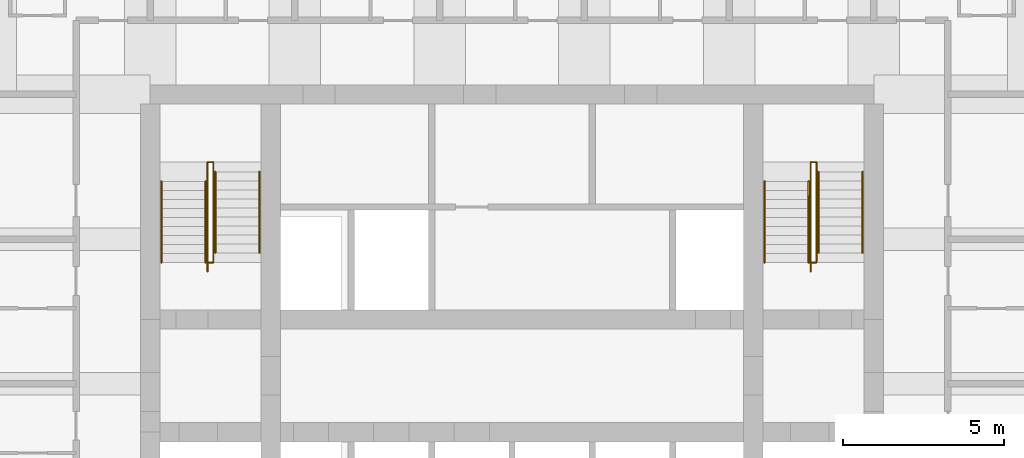
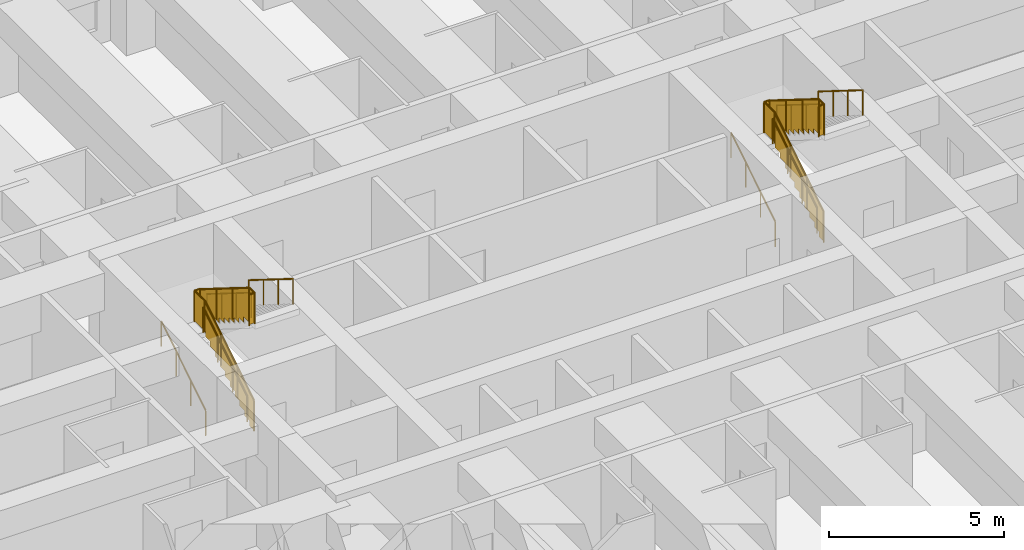
# One storey, part 8 of 8: 12 railings.
"""IFC4 building model written with IfcOpenShell, lengths in metres."""

from ifc_helpers import new_model, si_unit, direction, frame, origin, origin_2d, place, context, subcontext, project, spatial, polyline, circle, outline, extrude, material, type_object, element, save


model = new_model("IFC4")

# Units and contexts
model_context = context("Model", 3, precision=1e-05, world=origin(), true_north=direction((0.0, 1.0)))
body_context = subcontext(model_context, "Body", "Model", "MODEL_VIEW")
ifc_project = project(units=[si_unit("LENGTHUNIT", "METRE"), si_unit("AREAUNIT", "SQUARE_METRE"), si_unit("VOLUMEUNIT", "CUBIC_METRE"), si_unit("PLANEANGLEUNIT", "RADIAN"), si_unit("MASSUNIT", "GRAM", prefix="KILO")], contexts=[model_context])

# Site, building, storey
site_placement = place(None, origin())
site = spatial("IfcSite", under=ifc_project, at=site_placement, CompositionType="ELEMENT")
building_placement = place(site_placement, origin())
building = spatial("IfcBuilding", under=site, at=building_placement, Name="Kilele Tower Hotel", CompositionType="ELEMENT")
storey_placement = place(building_placement, frame((0.0, 0.0, 33.199951171875)))
storey = spatial("IfcBuildingStorey", under=building, at=storey_placement, Name="L06", CompositionType="ELEMENT", Elevation=33.199951171875)

# Railings
ifc_material_1 = material(Name="Steel handrail", Category="steel")
railing_type_1 = type_object("IfcRailingType", Name="Handrail 900", PredefinedType="HANDRAIL", material=ifc_material_1)
for number, where, name in (
    (1, (13.85009765625, 21.77490234375, 0.175048828125), "Handrail ST1 flight 1"),
    (2, (15.22509765625, 21.77490234375, 0.175048828125), "Handrail ST1 flight 1"),
):
    element("IfcRailing", number, at=place(storey_placement, frame(where)), inside=storey, type_object=railing_type_1, Name=name, PredefinedType="HANDRAIL", context=body_context, shape_type="SweptSolid", body=[
        extrude(circle(Radius=0.02490234375, at=origin_2d()), frame((0.0, 0.0, 0.875), z_axis=(0.0, 0.848007534815, 0.529984170421), x_axis=(-1.0, 0.0, 0.0)), (0.0, 0.0, 1.0), 2.9716796875),
        extrude(circle(Radius=0.02001953125, at=origin_2d()), origin(), (0.0, 0.0, 1.0), 0.849853515625),
        extrude(circle(Radius=0.02001953125, at=origin_2d()), frame((0.0, 0.840087890625, 0.52490234375)), (0.0, 0.0, 1.0), 0.849853515625),
        extrude(circle(Radius=0.02001953125, at=origin_2d()), frame((0.0, 1.679931640625, 1.050048828125)), (0.0, 0.0, 1.0), 0.849853515625),
        extrude(circle(Radius=0.02001953125, at=origin_2d()), frame((0.0, 2.52001953125, 1.574951171875)), (0.0, 0.0, 1.0), 0.849853515625),
    ])
for number, where, name in (
    (3, (15.52490234375, 24.594970703125, 1.925048828125), "Handrail ST1 flight 2"),
    (4, (16.89990234375, 24.594970703125, 1.925048828125), "Handrail ST1 flight 2"),
):
    element("IfcRailing", number, at=place(storey_placement, frame(where)), inside=storey, type_object=railing_type_1, Name=name, PredefinedType="HANDRAIL", context=body_context, shape_type="SweptSolid", body=[
        extrude(circle(Radius=0.02490234375, at=origin_2d()), frame((0.0, 0.0, 0.875), z_axis=(0.0, -0.848007534815, 0.529984170421), x_axis=(1.0, 0.0, 0.0)), (0.0, 0.0, 1.0), 2.9716796875),
        extrude(circle(Radius=0.02001953125, at=origin_2d()), origin(), (0.0, 0.0, 1.0), 0.849853515625),
        extrude(circle(Radius=0.02001953125, at=origin_2d()), frame((0.0, -0.840087890625, 0.52490234375)), (0.0, 0.0, 1.0), 0.849853515625),
        extrude(circle(Radius=0.02001953125, at=origin_2d()), frame((0.0, -1.679931640625, 1.050048828125)), (0.0, 0.0, 1.0), 0.849853515625),
        extrude(circle(Radius=0.02001953125, at=origin_2d()), frame((0.0, -2.52001953125, 1.574951171875)), (0.0, 0.0, 1.0), 0.849853515625),
    ])
for number, where, name in (
    (5, (32.60009765625, 21.77490234375, 0.175048828125), "Handrail ST2 flight 1"),
    (6, (33.97509765625, 21.77490234375, 0.175048828125), "Handrail ST2 flight 1"),
):
    element("IfcRailing", number, at=place(storey_placement, frame(where)), inside=storey, type_object=railing_type_1, Name=name, PredefinedType="HANDRAIL", context=body_context, shape_type="SweptSolid", body=[
        extrude(circle(Radius=0.02490234375, at=origin_2d()), frame((0.0, 0.0, 0.875), z_axis=(0.0, 0.848007534815, 0.529984170421), x_axis=(-1.0, 0.0, 0.0)), (0.0, 0.0, 1.0), 2.9716796875),
        extrude(circle(Radius=0.02001953125, at=origin_2d()), origin(), (0.0, 0.0, 1.0), 0.849853515625),
        extrude(circle(Radius=0.02001953125, at=origin_2d()), frame((0.0, 0.840087890625, 0.52490234375)), (0.0, 0.0, 1.0), 0.849853515625),
        extrude(circle(Radius=0.02001953125, at=origin_2d()), frame((0.0, 1.679931640625, 1.050048828125)), (0.0, 0.0, 1.0), 0.849853515625),
        extrude(circle(Radius=0.02001953125, at=origin_2d()), frame((0.0, 2.52001953125, 1.574951171875)), (0.0, 0.0, 1.0), 0.849853515625),
    ])
for number, where, name in (
    (7, (34.27490234375, 24.594970703125, 1.925048828125), "Handrail ST2 flight 2"),
    (8, (35.64990234375, 24.594970703125, 1.925048828125), "Handrail ST2 flight 2"),
):
    element("IfcRailing", number, at=place(storey_placement, frame(where)), inside=storey, type_object=railing_type_1, Name=name, PredefinedType="HANDRAIL", context=body_context, shape_type="SweptSolid", body=[
        extrude(circle(Radius=0.02490234375, at=origin_2d()), frame((0.0, 0.0, 0.875), z_axis=(0.0, -0.848007534815, 0.529984170421), x_axis=(1.0, 0.0, 0.0)), (0.0, 0.0, 1.0), 2.9716796875),
        extrude(circle(Radius=0.02001953125, at=origin_2d()), origin(), (0.0, 0.0, 1.0), 0.849853515625),
        extrude(circle(Radius=0.02001953125, at=origin_2d()), frame((0.0, -0.840087890625, 0.52490234375)), (0.0, 0.0, 1.0), 0.849853515625),
        extrude(circle(Radius=0.02001953125, at=origin_2d()), frame((0.0, -1.679931640625, 1.050048828125)), (0.0, 0.0, 1.0), 0.849853515625),
        extrude(circle(Radius=0.02001953125, at=origin_2d()), frame((0.0, -2.52001953125, 1.574951171875)), (0.0, 0.0, 1.0), 0.849853515625),
    ])
ifc_material_2 = material(Name="Steel guard", Category="steel")
railing_type_2 = type_object("IfcRailingType", Name="Stair guard 1100", PredefinedType="GUARDRAIL", material=ifc_material_2)
railing_1_placement = place(storey_placement, frame((15.284912109375, 21.4951171875, 0.0)))
element("IfcRailing", 9, at=railing_1_placement, inside=storey, type_object=railing_type_2, Name="Stair well guard ST1 flight 1", PredefinedType="GUARDRAIL", context=body_context, shape_type="SweptSolid", body=[
    extrude(circle(Radius=0.02490234375, at=origin_2d()), frame((0.0, 0.0, 1.0751953125), z_axis=(0.0, 0.847981687118, 0.530025526095), x_axis=(-1.0, 0.0, 0.0)), (0.0, 0.0, 1.0), 3.3017578125),
    extrude(circle(Radius=0.02490234375, at=origin_2d()), frame((0.0, 2.7998046875, 2.8251953125), z_axis=(0.0, 1.0, 0.0), x_axis=(-1.0, 0.0, 0.0)), (0.0, 0.0, 1.0), 0.60009765625),
    extrude(circle(Radius=0.02490234375, at=origin_2d()), frame((0.0, 3.39990234375, 2.8251953125), z_axis=(1.0, 0.0, 0.0), x_axis=(0.0, 1.0, 0.0)), (0.0, 0.0, 1.0), 0.18017578125),
    extrude(circle(Radius=0.02490234375, at=origin_2d()), origin(), (0.0, 0.0, 1.0), 1.050048828125),
    extrude(circle(Radius=0.02490234375, at=origin_2d()), frame((0.0, 0.933349609375, 0.583251953125)), (0.0, 0.0, 1.0), 1.050048828125),
    extrude(circle(Radius=0.02490234375, at=origin_2d()), frame((0.0, 1.866455078125, 1.166748046875)), (0.0, 0.0, 1.0), 1.050048828125),
    extrude(circle(Radius=0.02490234375, at=origin_2d()), frame((0.0, 2.7998046875, 1.75)), (0.0, 0.0, 1.0), 1.050048828125),
    extrude(circle(Radius=0.02490234375, at=origin_2d()), frame((0.0, 3.39990234375, 1.75)), (0.0, 0.0, 1.0), 1.050048828125),
    extrude(circle(Radius=0.02490234375, at=origin_2d()), frame((0.18017578125, 3.39990234375, 1.75)), (0.0, 0.0, 1.0), 1.050048828125),
    extrude(outline(polyline([(0.012451171875, 0.030029296875), (0.25, 0.030029296875), (0.25, 0.205078125), (0.530029296875, 0.205078125), (0.530029296875, 0.380126953125), (0.809814453125, 0.380126953125), (0.809814453125, 0.554931640625), (1.08984375, 0.554931640625), (1.08984375, 0.72998046875), (1.369873046875, 0.72998046875), (1.369873046875, 0.905029296875), (1.64990234375, 0.905029296875), (1.64990234375, 1.080078125), (1.929931640625, 1.080078125), (1.929931640625, 1.255126953125), (2.209716796875, 1.255126953125), (2.209716796875, 1.429931640625), (2.48974609375, 1.429931640625), (2.48974609375, 1.60498046875), (2.769775390625, 1.60498046875), (2.769775390625, 1.780029296875), (2.787353515625, 1.780029296875), (2.787353515625, 2.787841796875), (0.012451171875, 1.053466796875), (0.012451171875, 0.030029296875)])), frame((-0.005859375, 0.0, 0.0), z_axis=(1.0, 0.0, 0.0), x_axis=(0.0, 1.0, 0.0)), (0.0, 0.0, 1.0), 0.011962890625),
    extrude(outline(polyline([(0.012451171875, 0.030029296875), (0.587646484375, 0.030029296875), (0.587646484375, 1.050048828125), (0.012451171875, 1.050048828125), (0.012451171875, 0.030029296875)])), frame((-0.005859375, 2.7998046875, 1.75), z_axis=(1.0, 0.0, 0.0), x_axis=(0.0, 1.0, 0.0)), (0.0, 0.0, 1.0), 0.011962890625),
    extrude(outline(polyline([(0.012451171875, 0.030029296875), (0.18017578125, 0.030029296875), (0.18017578125, 1.050048828125), (0.012451171875, 1.050048828125), (0.012451171875, 0.030029296875)])), frame((0.0, 3.40576171875, 1.75), z_axis=(0.0, -1.0, 0.0), x_axis=(1.0, 0.0, 0.0)), (0.0, 0.0, 1.0), 0.011962890625),
])
railing_2_placement = place(storey_placement, frame((15.465087890625, 24.89501953125, 1.75)))
element("IfcRailing", 10, at=railing_2_placement, inside=storey, type_object=railing_type_2, Name="Stair well guard ST1 flight 2", PredefinedType="GUARDRAIL", context=body_context, shape_type="SweptSolid", body=[
    extrude(circle(Radius=0.02490234375, at=origin_2d()), frame((0.0, 0.0, 1.0751953125), z_axis=(0.0, -1.0, 0.0), x_axis=(1.0, 0.0, 0.0)), (0.0, 0.0, 1.0), 0.02001953125),
    extrude(circle(Radius=0.02490234375, at=origin_2d()), frame((0.0, -0.02001953125, 1.0751953125), z_axis=(0.0, -0.848002457836, 0.529992293815), x_axis=(1.0, 0.0, 0.0)), (0.0, 0.0, 1.0), 3.302001953125),
    extrude(circle(Radius=0.02490234375, at=origin_2d()), frame((0.0, -2.820068359375, 2.8251953125), z_axis=(0.0, -1.0, 0.0), x_axis=(1.0, 0.0, 0.0)), (0.0, 0.0, 1.0), 0.300048828125),
    extrude(circle(Radius=0.02490234375, at=origin_2d()), frame((0.0, -3.1201171875, 2.8251953125), z_axis=(-1.0, 0.0, 0.0), x_axis=(0.0, -1.0, 0.0)), (0.0, 0.0, 1.0), 0.18017578125),
    extrude(circle(Radius=0.02490234375, at=origin_2d()), origin(), (0.0, 0.0, 1.0), 1.050048828125),
    extrude(circle(Radius=0.02490234375, at=origin_2d()), frame((0.0, -0.02001953125, 0.0)), (0.0, 0.0, 1.0), 1.050048828125),
    extrude(circle(Radius=0.02490234375, at=origin_2d()), frame((0.0, -0.953369140625, 0.583251953125)), (0.0, 0.0, 1.0), 1.050048828125),
    extrude(circle(Radius=0.02490234375, at=origin_2d()), frame((0.0, -1.88671875, 1.166748046875)), (0.0, 0.0, 1.0), 1.050048828125),
    extrude(circle(Radius=0.02490234375, at=origin_2d()), frame((0.0, -2.820068359375, 1.75)), (0.0, 0.0, 1.0), 1.050048828125),
    extrude(circle(Radius=0.02490234375, at=origin_2d()), frame((0.0, -3.1201171875, 1.75)), (0.0, 0.0, 1.0), 1.050048828125),
    extrude(circle(Radius=0.02490234375, at=origin_2d()), frame((-0.18017578125, -3.1201171875, 1.75)), (0.0, 0.0, 1.0), 1.050048828125),
    extrude(outline(polyline([(0.012451171875, 0.030029296875), (0.25, 0.030029296875), (0.25, 0.205078125), (0.530029296875, 0.205078125), (0.530029296875, 0.380126953125), (0.81005859375, 0.380126953125), (0.81005859375, 0.554931640625), (1.090087890625, 0.554931640625), (1.090087890625, 0.72998046875), (1.3701171875, 0.72998046875), (1.3701171875, 0.905029296875), (1.64990234375, 0.905029296875), (1.64990234375, 1.080078125), (1.929931640625, 1.080078125), (1.929931640625, 1.255126953125), (2.2099609375, 1.255126953125), (2.2099609375, 1.429931640625), (2.489990234375, 1.429931640625), (2.489990234375, 1.60498046875), (2.77001953125, 1.60498046875), (2.77001953125, 1.780029296875), (2.78759765625, 1.780029296875), (2.78759765625, 2.787841796875), (0.012451171875, 1.053466796875), (0.012451171875, 0.030029296875)])), frame((0.005859375, -0.02001953125, 0.0), z_axis=(-1.0, 0.0, 0.0), x_axis=(0.0, -1.0, 0.0)), (0.0, 0.0, 1.0), 0.011962890625),
    extrude(outline(polyline([(0.012451171875, 0.030029296875), (0.28759765625, 0.030029296875), (0.28759765625, 1.050048828125), (0.012451171875, 1.050048828125), (0.012451171875, 0.030029296875)])), frame((0.005859375, -2.820068359375, 1.75), z_axis=(-1.0, 0.0, 0.0), x_axis=(0.0, -1.0, 0.0)), (0.0, 0.0, 1.0), 0.011962890625),
    extrude(outline(polyline([(0.012451171875, 0.030029296875), (0.18017578125, 0.030029296875), (0.18017578125, 1.050048828125), (0.012451171875, 1.050048828125), (0.012451171875, 0.030029296875)])), frame((0.0, -3.1259765625, 1.75), z_axis=(0.0, 1.0, 0.0), x_axis=(-1.0, 0.0, 0.0)), (0.0, 0.0, 1.0), 0.011962890625),
])
railing_3_placement = place(storey_placement, frame((34.034912109375, 21.4951171875, 0.0)))
element("IfcRailing", 11, at=railing_3_placement, inside=storey, type_object=railing_type_2, Name="Stair well guard ST2 flight 1", PredefinedType="GUARDRAIL", context=body_context, shape_type="SweptSolid", body=[
    extrude(circle(Radius=0.02490234375, at=origin_2d()), frame((0.0, 0.0, 1.0751953125), z_axis=(0.0, 0.847981687118, 0.530025526095), x_axis=(-1.0, 0.0, 0.0)), (0.0, 0.0, 1.0), 3.3017578125),
    extrude(circle(Radius=0.02490234375, at=origin_2d()), frame((0.0, 2.7998046875, 2.8251953125), z_axis=(0.0, 1.0, 0.0), x_axis=(-1.0, 0.0, 0.0)), (0.0, 0.0, 1.0), 0.60009765625),
    extrude(circle(Radius=0.02490234375, at=origin_2d()), frame((0.0, 3.39990234375, 2.8251953125), z_axis=(1.0, 0.0, 0.0), x_axis=(0.0, 1.0, 0.0)), (0.0, 0.0, 1.0), 0.18017578125),
    extrude(circle(Radius=0.02490234375, at=origin_2d()), origin(), (0.0, 0.0, 1.0), 1.050048828125),
    extrude(circle(Radius=0.02490234375, at=origin_2d()), frame((0.0, 0.933349609375, 0.583251953125)), (0.0, 0.0, 1.0), 1.050048828125),
    extrude(circle(Radius=0.02490234375, at=origin_2d()), frame((0.0, 1.866455078125, 1.166748046875)), (0.0, 0.0, 1.0), 1.050048828125),
    extrude(circle(Radius=0.02490234375, at=origin_2d()), frame((0.0, 2.7998046875, 1.75)), (0.0, 0.0, 1.0), 1.050048828125),
    extrude(circle(Radius=0.02490234375, at=origin_2d()), frame((0.0, 3.39990234375, 1.75)), (0.0, 0.0, 1.0), 1.050048828125),
    extrude(circle(Radius=0.02490234375, at=origin_2d()), frame((0.18017578125, 3.39990234375, 1.75)), (0.0, 0.0, 1.0), 1.050048828125),
    extrude(outline(polyline([(0.012451171875, 0.030029296875), (0.25, 0.030029296875), (0.25, 0.205078125), (0.530029296875, 0.205078125), (0.530029296875, 0.380126953125), (0.809814453125, 0.380126953125), (0.809814453125, 0.554931640625), (1.08984375, 0.554931640625), (1.08984375, 0.72998046875), (1.369873046875, 0.72998046875), (1.369873046875, 0.905029296875), (1.64990234375, 0.905029296875), (1.64990234375, 1.080078125), (1.929931640625, 1.080078125), (1.929931640625, 1.255126953125), (2.209716796875, 1.255126953125), (2.209716796875, 1.429931640625), (2.48974609375, 1.429931640625), (2.48974609375, 1.60498046875), (2.769775390625, 1.60498046875), (2.769775390625, 1.780029296875), (2.787353515625, 1.780029296875), (2.787353515625, 2.787841796875), (0.012451171875, 1.053466796875), (0.012451171875, 0.030029296875)])), frame((-0.005859375, 0.0, 0.0), z_axis=(1.0, 0.0, 0.0), x_axis=(0.0, 1.0, 0.0)), (0.0, 0.0, 1.0), 0.011962890625),
    extrude(outline(polyline([(0.012451171875, 0.030029296875), (0.587646484375, 0.030029296875), (0.587646484375, 1.050048828125), (0.012451171875, 1.050048828125), (0.012451171875, 0.030029296875)])), frame((-0.005859375, 2.7998046875, 1.75), z_axis=(1.0, 0.0, 0.0), x_axis=(0.0, 1.0, 0.0)), (0.0, 0.0, 1.0), 0.011962890625),
    extrude(outline(polyline([(0.012451171875, 0.030029296875), (0.18017578125, 0.030029296875), (0.18017578125, 1.050048828125), (0.012451171875, 1.050048828125), (0.012451171875, 0.030029296875)])), frame((0.0, 3.40576171875, 1.75), z_axis=(0.0, -1.0, 0.0), x_axis=(1.0, 0.0, 0.0)), (0.0, 0.0, 1.0), 0.011962890625),
])
railing_4_placement = place(storey_placement, frame((34.215087890625, 24.89501953125, 1.75)))
element("IfcRailing", 12, at=railing_4_placement, inside=storey, type_object=railing_type_2, Name="Stair well guard ST2 flight 2", PredefinedType="GUARDRAIL", context=body_context, shape_type="SweptSolid", body=[
    extrude(circle(Radius=0.02490234375, at=origin_2d()), frame((0.0, 0.0, 1.0751953125), z_axis=(0.0, -1.0, 0.0), x_axis=(1.0, 0.0, 0.0)), (0.0, 0.0, 1.0), 0.02001953125),
    extrude(circle(Radius=0.02490234375, at=origin_2d()), frame((0.0, -0.02001953125, 1.0751953125), z_axis=(0.0, -0.848002457836, 0.529992293815), x_axis=(1.0, 0.0, 0.0)), (0.0, 0.0, 1.0), 3.302001953125),
    extrude(circle(Radius=0.02490234375, at=origin_2d()), frame((0.0, -2.820068359375, 2.8251953125), z_axis=(0.0, -1.0, 0.0), x_axis=(1.0, 0.0, 0.0)), (0.0, 0.0, 1.0), 0.300048828125),
    extrude(circle(Radius=0.02490234375, at=origin_2d()), frame((0.0, -3.1201171875, 2.8251953125), z_axis=(-1.0, 0.0, 0.0), x_axis=(0.0, -1.0, 0.0)), (0.0, 0.0, 1.0), 0.18017578125),
    extrude(circle(Radius=0.02490234375, at=origin_2d()), origin(), (0.0, 0.0, 1.0), 1.050048828125),
    extrude(circle(Radius=0.02490234375, at=origin_2d()), frame((0.0, -0.02001953125, 0.0)), (0.0, 0.0, 1.0), 1.050048828125),
    extrude(circle(Radius=0.02490234375, at=origin_2d()), frame((0.0, -0.953369140625, 0.583251953125)), (0.0, 0.0, 1.0), 1.050048828125),
    extrude(circle(Radius=0.02490234375, at=origin_2d()), frame((0.0, -1.88671875, 1.166748046875)), (0.0, 0.0, 1.0), 1.050048828125),
    extrude(circle(Radius=0.02490234375, at=origin_2d()), frame((0.0, -2.820068359375, 1.75)), (0.0, 0.0, 1.0), 1.050048828125),
    extrude(circle(Radius=0.02490234375, at=origin_2d()), frame((0.0, -3.1201171875, 1.75)), (0.0, 0.0, 1.0), 1.050048828125),
    extrude(circle(Radius=0.02490234375, at=origin_2d()), frame((-0.18017578125, -3.1201171875, 1.75)), (0.0, 0.0, 1.0), 1.050048828125),
    extrude(outline(polyline([(0.012451171875, 0.030029296875), (0.25, 0.030029296875), (0.25, 0.205078125), (0.530029296875, 0.205078125), (0.530029296875, 0.380126953125), (0.81005859375, 0.380126953125), (0.81005859375, 0.554931640625), (1.090087890625, 0.554931640625), (1.090087890625, 0.72998046875), (1.3701171875, 0.72998046875), (1.3701171875, 0.905029296875), (1.64990234375, 0.905029296875), (1.64990234375, 1.080078125), (1.929931640625, 1.080078125), (1.929931640625, 1.255126953125), (2.2099609375, 1.255126953125), (2.2099609375, 1.429931640625), (2.489990234375, 1.429931640625), (2.489990234375, 1.60498046875), (2.77001953125, 1.60498046875), (2.77001953125, 1.780029296875), (2.78759765625, 1.780029296875), (2.78759765625, 2.787841796875), (0.012451171875, 1.053466796875), (0.012451171875, 0.030029296875)])), frame((0.005859375, -0.02001953125, 0.0), z_axis=(-1.0, 0.0, 0.0), x_axis=(0.0, -1.0, 0.0)), (0.0, 0.0, 1.0), 0.011962890625),
    extrude(outline(polyline([(0.012451171875, 0.030029296875), (0.28759765625, 0.030029296875), (0.28759765625, 1.050048828125), (0.012451171875, 1.050048828125), (0.012451171875, 0.030029296875)])), frame((0.005859375, -2.820068359375, 1.75), z_axis=(-1.0, 0.0, 0.0), x_axis=(0.0, -1.0, 0.0)), (0.0, 0.0, 1.0), 0.011962890625),
    extrude(outline(polyline([(0.012451171875, 0.030029296875), (0.18017578125, 0.030029296875), (0.18017578125, 1.050048828125), (0.012451171875, 1.050048828125), (0.012451171875, 0.030029296875)])), frame((0.0, -3.1259765625, 1.75), z_axis=(0.0, 1.0, 0.0), x_axis=(-1.0, 0.0, 0.0)), (0.0, 0.0, 1.0), 0.011962890625),
])

save(model, "model.ifc")
